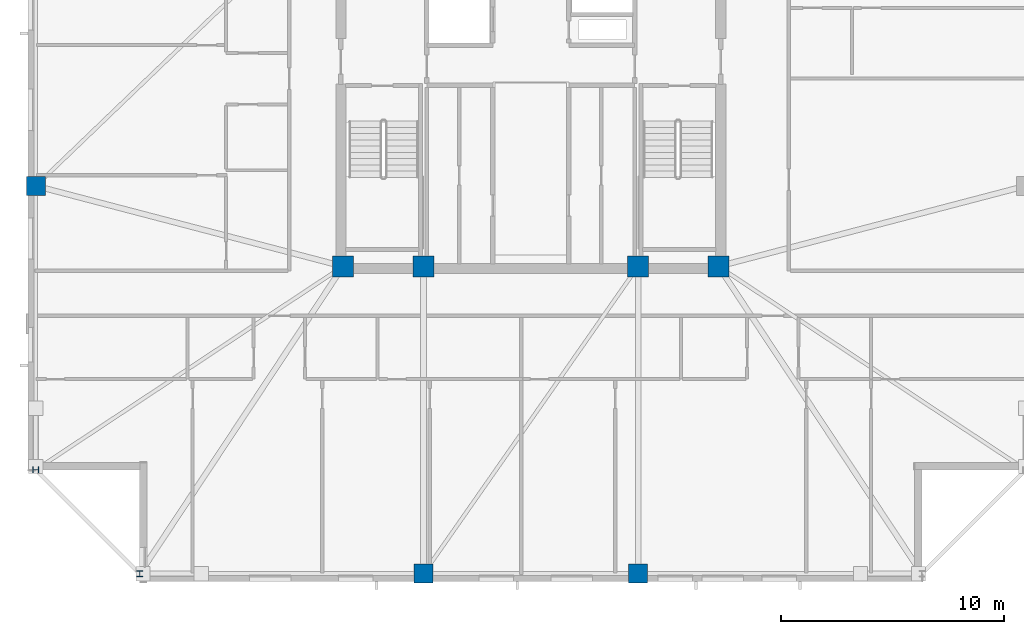
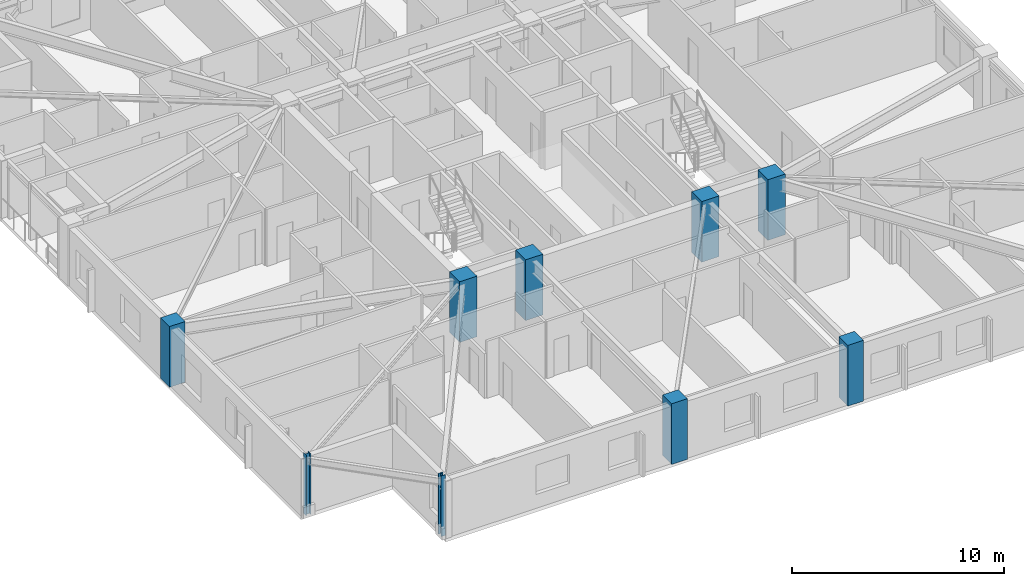
# One storey, part 1 of 17: 9 columns.
"""IFC4 building model written with IfcOpenShell, lengths in metres."""

from ifc_helpers import new_model, si_unit, direction, frame, origin, origin_2d, place, context, subcontext, project, spatial, rectangle, i_section, extrude, material, material_profile, profile_set, type_object, element, save


model = new_model("IFC4")

# Units and contexts
model_context = context("Model", 3, precision=1e-05, world=origin(), true_north=direction((0.0, 1.0)))
body_context = subcontext(model_context, "Body", "Model", "MODEL_VIEW")
ifc_project = project(units=[si_unit("LENGTHUNIT", "METRE"), si_unit("AREAUNIT", "SQUARE_METRE"), si_unit("VOLUMEUNIT", "CUBIC_METRE"), si_unit("PLANEANGLEUNIT", "RADIAN"), si_unit("MASSUNIT", "GRAM", prefix="KILO")], contexts=[model_context])

# Site, building, storey
site_placement = place(None, origin())
site = spatial("IfcSite", under=ifc_project, at=site_placement, CompositionType="ELEMENT")
building_placement = place(site_placement, origin())
building = spatial("IfcBuilding", under=site, at=building_placement, Name="Cairnveth Concourse Tower", CompositionType="ELEMENT")
storey_placement = place(building_placement, frame((0.0, 0.0, 227.0)))
storey = spatial("IfcBuildingStorey", under=building, at=storey_placement, Name="L62", CompositionType="ELEMENT", Elevation=227.0)

# Columns
ifc_material_1 = material(Name="Concrete N65 (65 MPa)", Category="concrete")
ifc_material_profile_1 = material_profile(ifc_material_1, rectangle(XDim=0.949951171875, YDim=0.949951171875, at=origin_2d()), Name="RC-COL-950x950")
ifc_profile_set_1 = profile_set([ifc_material_profile_1], Name="Concrete N65 (65 MPa)")
column_type_1 = type_object("IfcColumnType", Name="CORE COLUMN 950X950", PredefinedType="COLUMN", material=ifc_profile_set_1)
for number, where, z_axis, x_axis, name in (
    (1, (43.60009765625, 30.60009765625, 0.0), (0.0, 0.0, 1.0), (1.0, 0.0, 0.0), "Column CC1 L62"),
    (2, (47.199951171875, 30.60009765625, 0.0), (0.0, 0.0, 1.0), (1.0, 0.0, 0.0), "Column CC2 L62"),
    (3, (56.800048828125, 30.60009765625, 0.0), (0.0, 0.0, 1.0), (1.0, 0.0, 0.0), "Column CC3 L62"),
    (4, (60.39990234375, 30.60009765625, 0.0), (0.0, 0.0, 1.0), (1.0, 0.0, 0.0), "Column CC4 L62"),
):
    element("IfcColumn", number, at=place(storey_placement, frame(where, z_axis=z_axis, x_axis=x_axis)), inside=storey, type_object=column_type_1, Name=name, PredefinedType="COLUMN", context=body_context, shape_type="SweptSolid", body=[
        extrude(rectangle(XDim=0.949951171875, YDim=0.949951171875, at=origin_2d()), origin(), (0.0, 0.0, 1.0), 3.5),
    ])
ifc_material_profile_2 = material_profile(ifc_material_1, rectangle(XDim=0.85009765625, YDim=0.85009765625, at=origin_2d()), Name="RC-COL-850x850")
ifc_profile_set_2 = profile_set([ifc_material_profile_2], Name="Concrete N65 (65 MPa)")
column_type_2 = type_object("IfcColumnType", Name="PERIMETER PIER COLUMN 850X850", PredefinedType="COLUMN", material=ifc_profile_set_2)
for number, where, z_axis, x_axis, name in (
    (5, (47.199951171875, 16.85009765625, 0.0), (0.0, 0.0, 1.0), (1.0, 0.0, 0.0), "Column P-S2 L62"),
    (6, (56.800048828125, 16.85009765625, 0.0), (0.0, 0.0, 1.0), (1.0, 0.0, 0.0), "Column P-S3 L62"),
    (7, (29.85009765625, 34.199951171875, 0.0), (0.0, 0.0, 1.0), (0.0, 1.0, 0.0), "Column P-W3 L62"),
):
    element("IfcColumn", number, at=place(storey_placement, frame(where, z_axis=z_axis, x_axis=x_axis)), inside=storey, type_object=column_type_2, Name=name, PredefinedType="COLUMN", context=body_context, shape_type="SweptSolid", body=[
        extrude(rectangle(XDim=0.85009765625, YDim=0.85009765625, at=origin_2d()), origin(), (0.0, 0.0, 1.0), 3.5),
    ])
ifc_material_2 = material(Name="Steel Grade 350", Category="steel")
ifc_material_profile_3 = material_profile(ifc_material_2, i_section(OverallWidth=0.256103515625, OverallDepth=0.260009765625, WebThickness=0.010498046875, FlangeThickness=0.017333984375, FilletRadius=0.012939453125, at=origin_2d()), Name="250UC89.5")
ifc_profile_set_3 = profile_set([ifc_material_profile_3], Name="Steel Grade 350")
column_type_3 = type_object("IfcColumnType", Name="UNIVERSAL STEEL COLUMN 250UC89.5", PredefinedType="COLUMN", material=ifc_profile_set_3)
for number, where, z_axis, x_axis, name in (
    (8, (34.5, 16.85009765625, 0.0), (0.0, 0.0, 1.0), (1.0, 0.0, 0.0), "Column P-S1 L62"),
    (9, (29.85009765625, 21.5, 0.0), (0.0, 0.0, 1.0), (0.0, 1.0, 0.0), "Column P-W4 L62"),
):
    element("IfcColumn", number, at=place(storey_placement, frame(where, z_axis=z_axis, x_axis=x_axis)), inside=storey, type_object=column_type_3, Name=name, PredefinedType="COLUMN", context=body_context, shape_type="SweptSolid", body=[
        extrude(i_section(OverallWidth=0.256103515625, OverallDepth=0.260009765625, WebThickness=0.010498046875, FlangeThickness=0.017333984375, FilletRadius=0.012939453125, at=origin_2d()), origin(), (0.0, 0.0, 1.0), 3.5),
    ])

save(model, "model.ifc")
